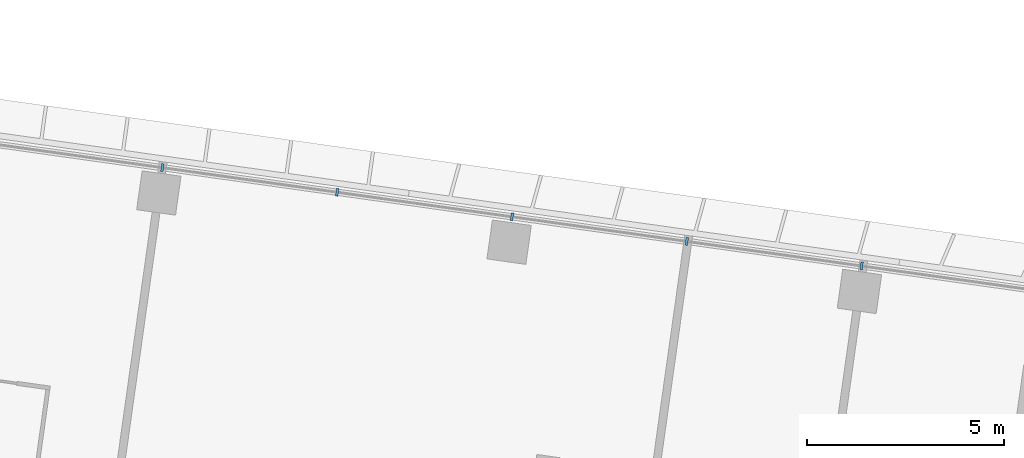
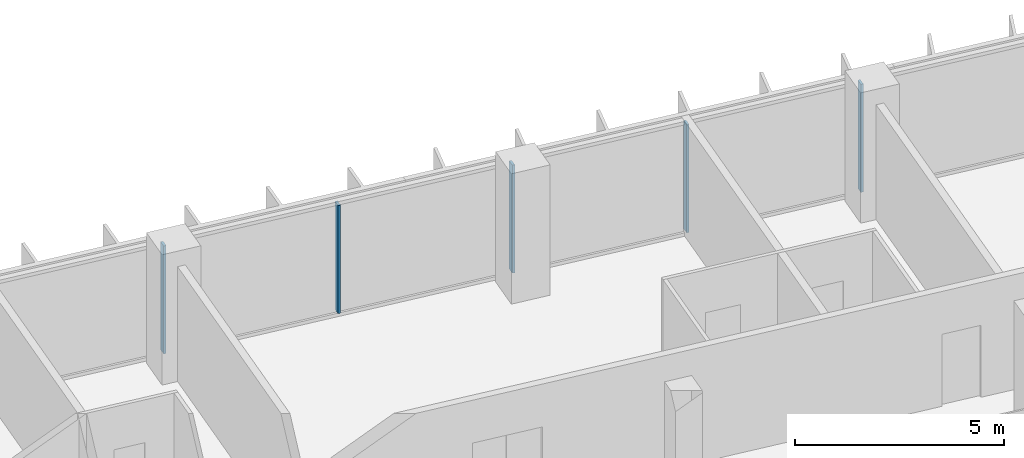
# One storey, part 5 of 24: 5 members, 1 element without a shape of its own.
"""IFC4 building model written with IfcOpenShell, lengths in metres."""

from ifc_helpers import new_model, si_unit, direction, frame, origin, origin_2d, place, context, subcontext, project, spatial, rectangle, extrude, material, material_profile, profile_set, type_object, element, aggregate, save


model = new_model("IFC4")

# Units and contexts
model_context = context("Model", 3, precision=1e-05, world=origin(), true_north=direction((0.0, 1.0)))
body_context = subcontext(model_context, "Body", "Model", "MODEL_VIEW")
ifc_project = project(units=[si_unit("LENGTHUNIT", "METRE"), si_unit("AREAUNIT", "SQUARE_METRE"), si_unit("VOLUMEUNIT", "CUBIC_METRE"), si_unit("PLANEANGLEUNIT", "RADIAN"), si_unit("MASSUNIT", "GRAM", prefix="KILO")], contexts=[model_context])

# Site, building, storey
site_placement = place(None, origin())
site = spatial("IfcSite", under=ifc_project, at=site_placement, CompositionType="ELEMENT")
building_placement = place(site_placement, origin())
building = spatial("IfcBuilding", under=site, at=building_placement, Name="Mirante Cascada Hotel Towers", CompositionType="ELEMENT")
storey_placement = place(building_placement, frame((0.0, 0.0, 77.5)))
storey = spatial("IfcBuildingStorey", under=building, at=storey_placement, Name="L16", CompositionType="ELEMENT", Elevation=77.5)

# Curtain wall, members
ifc_material_1 = material(Name="Aluminium mullion and transom frame with clear laminated glass", Category="aluminium")
curtain_wall_type = type_object("IfcCurtainWallType", Name="Ribbon curtain wall ECW1", PredefinedType="NOTDEFINED", material=ifc_material_1)
curtain_wall_placement = place(storey_placement, origin())
curtain_wall = element("IfcCurtainWall", 1, at=curtain_wall_placement, inside=storey, type_object=curtain_wall_type, Name="Front ribbon wall T1 L16", PredefinedType="NOTDEFINED")
ifc_material_2 = material(Name="Anodised aluminium extrusion", Category="aluminium")
ifc_material_profile = material_profile(ifc_material_2, rectangle(XDim=0.2, YDim=0.065, at=origin_2d()), Name="ECW1 MULLION 65x200")
ifc_profile_set = profile_set([ifc_material_profile], Name="Anodised aluminium extrusion")
member_type = type_object("IfcMemberType", Name="ECW1 mullion 65x200", PredefinedType="MULLION", material=ifc_profile_set)
member_1_placement = place(storey_placement, frame((-63.0262, 21.6768, 0.1), z_axis=(0.0, 0.0, 1.0), x_axis=(0.1391731, 0.9902681, 0.0)))
member_1 = element("IfcMember", 2, at=member_1_placement, type_object=member_type, Name="ECW1 mullion 8", PredefinedType="MULLION", context=body_context, shape_type="SweptSolid", body=[
    extrude(rectangle(XDim=0.2, YDim=0.065, at=origin_2d()), origin(), (0.0, 0.0, 1.0), 3.15),
])
member_2_placement = place(storey_placement, frame((-58.5788, 21.0517, 0.1), z_axis=(0.0, 0.0, 1.0), x_axis=(0.1391731, 0.9902681, 0.0)))
member_2 = element("IfcMember", 3, at=member_2_placement, type_object=member_type, Name="ECW1 mullion 9", PredefinedType="MULLION", context=body_context, shape_type="SweptSolid", body=[
    extrude(rectangle(XDim=0.2, YDim=0.065, at=origin_2d()), origin(), (0.0, 0.0, 1.0), 3.15),
])
member_3_placement = place(storey_placement, frame((-54.1314, 20.4267, 0.1), z_axis=(0.0, 0.0, 1.0), x_axis=(0.1391731, 0.9902681, 0.0)))
member_3 = element("IfcMember", 4, at=member_3_placement, type_object=member_type, Name="ECW1 mullion 10", PredefinedType="MULLION", context=body_context, shape_type="SweptSolid", body=[
    extrude(rectangle(XDim=0.2, YDim=0.065, at=origin_2d()), origin(), (0.0, 0.0, 1.0), 3.15),
])
member_4_placement = place(storey_placement, frame((-49.684, 19.8017, 0.1), z_axis=(0.0, 0.0, 1.0), x_axis=(0.1391731, 0.9902681, 0.0)))
member_4 = element("IfcMember", 5, at=member_4_placement, type_object=member_type, Name="ECW1 mullion 11", PredefinedType="MULLION", context=body_context, shape_type="SweptSolid", body=[
    extrude(rectangle(XDim=0.2, YDim=0.065, at=origin_2d()), origin(), (0.0, 0.0, 1.0), 3.15),
])
member_5_placement = place(storey_placement, frame((-45.2366, 19.1766, 0.1), z_axis=(0.0, 0.0, 1.0), x_axis=(0.1391731, 0.9902681, 0.0)))
member_5 = element("IfcMember", 6, at=member_5_placement, type_object=member_type, Name="ECW1 mullion 12", PredefinedType="MULLION", context=body_context, shape_type="SweptSolid", body=[
    extrude(rectangle(XDim=0.2, YDim=0.065, at=origin_2d()), origin(), (0.0, 0.0, 1.0), 3.15),
])
aggregate(curtain_wall, [member_1, member_2, member_3, member_4, member_5])

save(model, "model.ifc")
